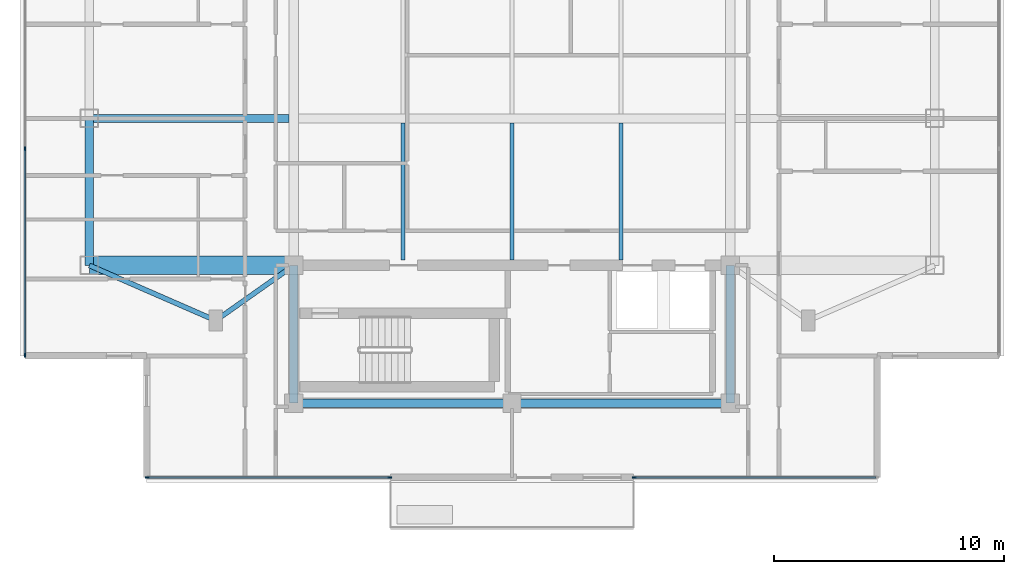
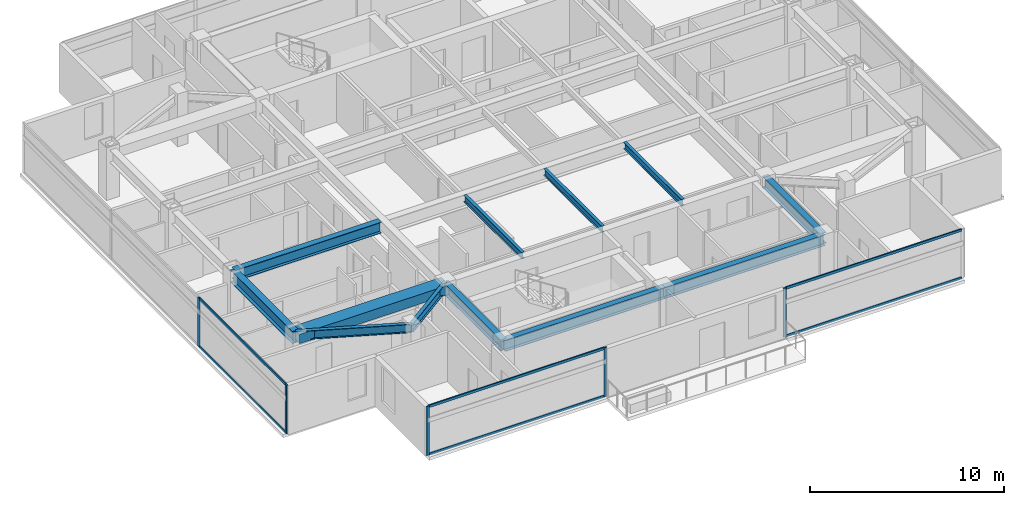
# One storey, part 2 of 14: 12 beams, 11 members, 3 elements without a shape of their own.
"""IFC4 building model written with IfcOpenShell, lengths in metres."""

from ifc_helpers import new_model, si_unit, direction, frame, origin, origin_2d, place, context, subcontext, project, spatial, rectangle, i_section, extrude, material, material_profile, profile_set, type_object, element, aggregate, save


model = new_model("IFC4")

# Units and contexts
model_context = context("Model", 3, precision=1e-05, world=origin(), true_north=direction((0.0, 1.0)))
body_context = subcontext(model_context, "Body", "Model", "MODEL_VIEW")
ifc_project = project(units=[si_unit("LENGTHUNIT", "METRE"), si_unit("AREAUNIT", "SQUARE_METRE"), si_unit("VOLUMEUNIT", "CUBIC_METRE"), si_unit("PLANEANGLEUNIT", "RADIAN"), si_unit("MASSUNIT", "GRAM", prefix="KILO")], contexts=[model_context])

# Site, building, storey
site_placement = place(None, origin())
site = spatial("IfcSite", under=ifc_project, at=site_placement, CompositionType="ELEMENT")
building_placement = place(site_placement, origin())
building = spatial("IfcBuilding", under=site, at=building_placement, Name="Mirazonda Arch Towers", CompositionType="ELEMENT")
storey_placement = place(building_placement, frame((0.0, 0.0, 232.60009765625)))
storey = spatial("IfcBuildingStorey", under=building, at=storey_placement, Name="L66", CompositionType="ELEMENT", Elevation=232.60009765625)

# Beams
ifc_material_1 = material(Name="Steel ASTM A992 Grade 50", Category="steel")
ifc_material_profile_1 = material_profile(ifc_material_1, i_section(OverallWidth=0.381103515625, OverallDepth=0.77294921875, WebThickness=0.0166015625, FlangeThickness=0.027099609375, at=origin_2d()), Name="W30X173")
ifc_profile_set_1 = profile_set([ifc_material_profile_1], Name="Steel ASTM A992 Grade 50")
beam_type_1 = type_object("IfcBeamType", Name="BM-EXT-W30X173", PredefinedType="USERDEFINED", material=ifc_profile_set_1)
beam_1_placement = place(storey_placement, frame((2.10009765625, 18.39990234375, 2.71337890625), z_axis=(0.0, 1.0, 0.0), x_axis=(-1.0, 0.0, 0.0)))
element("IfcBeam", 1, at=beam_1_placement, inside=storey, type_object=beam_type_1, Name="L66 Floor Beam BM-T1-L66-NS-W-18", ObjectType="GIRDER", PredefinedType="USERDEFINED", context=body_context, shape_type="SweptSolid", body=[
    extrude(i_section(OverallWidth=0.381103515625, OverallDepth=0.77294921875, WebThickness=0.0166015625, FlangeThickness=0.027099609375, at=origin_2d()), origin(), (0.0, 0.0, 1.0), 6.400146484375),
])
ifc_material_profile_2 = material_profile(ifc_material_1, i_section(OverallWidth=0.180908203125, OverallDepth=0.4169921875, WebThickness=0.010986328125, FlangeThickness=0.018310546875, at=origin_2d()), Name="W16X57")
ifc_profile_set_2 = profile_set([ifc_material_profile_2], Name="Steel ASTM A992 Grade 50")
beam_type_2 = type_object("IfcBeamType", Name="BM-INT-W16X57", PredefinedType="JOIST", material=ifc_profile_set_2)
for number, where, z_axis, x_axis, name in (
    (2, (15.75, 18.639892578125, 2.891357421875), (0.0, 1.0, 0.0), (-1.0, 0.0, 0.0), "L66 Floor Beam BM-T1-L66-J-157-18"),
    (3, (20.5, 18.639892578125, 2.891357421875), (0.0, 1.0, 0.0), (-1.0, 0.0, 0.0), "L66 Floor Beam BM-T1-L66-J-205-18"),
    (4, (25.25, 18.639892578125, 2.891357421875), (0.0, 1.0, 0.0), (-1.0, 0.0, 0.0), "L66 Floor Beam BM-T1-L66-J-252-18"),
):
    element("IfcBeam", number, at=place(storey_placement, frame(where, z_axis=z_axis, x_axis=x_axis)), inside=storey, type_object=beam_type_2, Name=name, PredefinedType="JOIST", context=body_context, shape_type="SweptSolid", body=[
        extrude(i_section(OverallWidth=0.180908203125, OverallDepth=0.4169921875, WebThickness=0.010986328125, FlangeThickness=0.018310546875, at=origin_2d()), origin(), (0.0, 0.0, 1.0), 5.964111328125),
    ])
ifc_material_profile_3 = material_profile(ifc_material_1, i_section(OverallWidth=0.214111328125, OverallDepth=0.549072265625, WebThickness=0.0146484375, FlangeThickness=0.023681640625, at=origin_2d()), Name="W21X93")
ifc_profile_set_3 = profile_set([ifc_material_profile_3], Name="Steel ASTM A992 Grade 50")
beam_type_3 = type_object("IfcBeamType", Name="BM-INT-W21X93", PredefinedType="BEAM", material=ifc_profile_set_3)
beam_2_placement = place(storey_placement, frame((7.60009765625, 16.0, 2.825439453125), z_axis=(0.816971114901, 0.576678591087, 0.0), x_axis=(-0.576678591087, 0.816971114901, 0.0)))
element("IfcBeam", 5, at=beam_2_placement, inside=storey, type_object=beam_type_3, Name="L66 Floor Beam BM-T1-L66-PL-SW1", PredefinedType="BEAM", context=body_context, shape_type="SweptSolid", body=[
    extrude(i_section(OverallWidth=0.214111328125, OverallDepth=0.549072265625, WebThickness=0.0146484375, FlangeThickness=0.023681640625, at=origin_2d()), origin(), (0.0, 0.0, 1.0), 4.16162109375),
])
beam_3_placement = place(storey_placement, frame((7.60009765625, 16.0, 2.825439453125), z_axis=(-0.916545343703, 0.399930785183, 0.0), x_axis=(-0.399930785183, -0.916545343703, 0.0)))
element("IfcBeam", 6, at=beam_3_placement, inside=storey, type_object=beam_type_3, Name="L66 Floor Beam BM-T1-L66-PL-SW2", PredefinedType="BEAM", context=body_context, shape_type="SweptSolid", body=[
    extrude(i_section(OverallWidth=0.214111328125, OverallDepth=0.549072265625, WebThickness=0.0146484375, FlangeThickness=0.023681640625, at=origin_2d()), origin(), (0.0, 0.0, 1.0), 6.000732421875),
])
ifc_material_profile_4 = material_profile(ifc_material_1, i_section(OverallWidth=0.35498046875, OverallDepth=0.696044921875, WebThickness=0.015380859375, FlangeThickness=0.02490234375, at=origin_2d()), Name="W27X146")
ifc_profile_set_4 = profile_set([ifc_material_profile_4], Name="Steel ASTM A992 Grade 50")
beam_type_4 = type_object("IfcBeamType", Name="BM-INT-W27X146", PredefinedType="BEAM", material=ifc_profile_set_4)
beam_4_placement = place(storey_placement, frame((2.10009765625, 24.800048828125, 2.751953125), z_axis=(1.0, 0.0, 0.0), x_axis=(0.0, 1.0, 0.0)))
element("IfcBeam", 7, at=beam_4_placement, inside=storey, type_object=beam_type_4, Name="L66 Floor Beam BM-T1-L66-GW2", PredefinedType="BEAM", context=body_context, shape_type="SweptSolid", body=[
    extrude(i_section(OverallWidth=0.35498046875, OverallDepth=0.696044921875, WebThickness=0.015380859375, FlangeThickness=0.02490234375, at=origin_2d()), origin(), (0.0, 0.0, 1.0), 8.699951171875),
])
for number, where, z_axis, x_axis, name in (
    (8, (11.0, 12.39990234375, 2.751953125), (1.0, 0.0, 0.0), (0.0, 1.0, 0.0), "L66 Floor Beam BM-T1-L66-CS1"),
    (9, (20.5, 12.39990234375, 2.751953125), (1.0, 0.0, 0.0), (0.0, 1.0, 0.0), "L66 Floor Beam BM-T1-L66-CS2"),
):
    element("IfcBeam", number, at=place(storey_placement, frame(where, z_axis=z_axis, x_axis=x_axis)), inside=storey, type_object=beam_type_4, Name=name, PredefinedType="BEAM", context=body_context, shape_type="SweptSolid", body=[
        extrude(i_section(OverallWidth=0.35498046875, OverallDepth=0.696044921875, WebThickness=0.015380859375, FlangeThickness=0.02490234375, at=origin_2d()), origin(), (0.0, 0.0, 1.0), 9.5),
    ])
for number, where, z_axis, x_axis, name in (
    (10, (11.0, 12.39990234375, 2.751953125), (0.0, 1.0, 0.0), (-1.0, 0.0, 0.0), "L66 Floor Beam BM-T1-L66-CSW"),
    (11, (30.0, 12.39990234375, 2.751953125), (0.0, 1.0, 0.0), (-1.0, 0.0, 0.0), "L66 Floor Beam BM-T1-L66-CSE"),
):
    element("IfcBeam", number, at=place(storey_placement, frame(where, z_axis=z_axis, x_axis=x_axis)), inside=storey, type_object=beam_type_4, Name=name, PredefinedType="BEAM", context=body_context, shape_type="SweptSolid", body=[
        extrude(i_section(OverallWidth=0.35498046875, OverallDepth=0.696044921875, WebThickness=0.015380859375, FlangeThickness=0.02490234375, at=origin_2d()), origin(), (0.0, 0.0, 1.0), 6.0),
    ])
ifc_material_2 = material(Name="Concrete C60/75", Category="concrete")
ifc_material_profile_5 = material_profile(ifc_material_2, rectangle(XDim=0.800048828125, YDim=0.60009765625, at=origin_2d()), Name="RCCB800x600")
ifc_profile_set_5 = profile_set([ifc_material_profile_5], Name="Concrete C60/75")
beam_type_5 = type_object("IfcBeamType", Name="CB-INT-RCCB800x600", PredefinedType="SPANDREL", material=ifc_profile_set_5)
beam_5_placement = place(storey_placement, frame((2.10009765625, 18.39990234375, 2.7998046875), z_axis=(1.0, 0.0, 0.0), x_axis=(0.0, 1.0, 0.0)))
element("IfcBeam", 12, at=beam_5_placement, inside=storey, type_object=beam_type_5, Name="L66 Floor Beam CBC-T1-L66-SW", PredefinedType="SPANDREL", context=body_context, shape_type="SweptSolid", body=[
    extrude(rectangle(XDim=0.800048828125, YDim=0.60009765625, at=origin_2d()), origin(), (0.0, 0.0, 1.0), 8.89990234375),
])

# Curtain wall, member
ifc_material_3 = material(Name="Anodised Aluminium and Low-E Glass", Category="aluminium")
curtain_wall_type = type_object("IfcCurtainWallType", Name="CW-RES-UNIT", PredefinedType="NOTDEFINED", material=ifc_material_3)
curtain_wall_1_placement = place(storey_placement, origin())
curtain_wall_1 = element("IfcCurtainWall", 13, at=curtain_wall_1_placement, inside=storey, type_object=curtain_wall_type, Name="L66 Curtain Wall CW-L66-T1-SA", PredefinedType="NOTDEFINED")
ifc_material_4 = material(Name="Anodised Aluminium Alloy", Category="aluminium")
ifc_material_profile_6 = material_profile(ifc_material_4, rectangle(XDim=0.074951171875, YDim=0.175048828125, at=origin_2d()), Name="ALU-MULL-75x175")
ifc_profile_set_6 = profile_set([ifc_material_profile_6], Name="Anodised Aluminium Alloy")
member_type_1 = type_object("IfcMemberType", Name="MULL-CW-RES-UNIT", PredefinedType="MULLION", material=ifc_profile_set_6)
member_1_placement = place(storey_placement, frame((25.827392578125, 9.16796875, 0.0), z_axis=(0.0, 0.0, 1.0), x_axis=(0.0, -1.0, 0.0)))
member_1 = element("IfcMember", 14, at=member_1_placement, type_object=member_type_1, Name="CW-104 mullion 2", PredefinedType="MULLION", context=body_context, shape_type="SweptSolid", body=[
    extrude(rectangle(XDim=0.074951171875, YDim=0.175048828125, at=origin_2d()), origin(), (0.0, 0.0, 1.0), 3.079833984375),
])

# Curtain wall, members
curtain_wall_2_placement = place(storey_placement, origin())
curtain_wall_2 = element("IfcCurtainWall", 15, at=curtain_wall_2_placement, inside=storey, type_object=curtain_wall_type, Name="L66 Curtain Wall CW-L66-T1-SB", PredefinedType="NOTDEFINED")
member_2_placement = place(storey_placement, frame((15.172607421875, 9.16796875, 0.0), z_axis=(0.0, 0.0, 1.0), x_axis=(0.0, -1.0, 0.0)))
member_2 = element("IfcMember", 16, at=member_2_placement, type_object=member_type_1, Name="CW-104 mullion 1", PredefinedType="MULLION", context=body_context, shape_type="SweptSolid", body=[
    extrude(rectangle(XDim=0.074951171875, YDim=0.175048828125, at=origin_2d()), origin(), (0.0, 0.0, 1.0), 3.079833984375),
])
member_3_placement = place(storey_placement, frame((4.62744140625, 9.16796875, 0.0), z_axis=(0.0, 0.0, 1.0), x_axis=(0.0, -1.0, 0.0)))
member_3 = element("IfcMember", 17, at=member_3_placement, type_object=member_type_1, Name="CW-104 mullion 2", PredefinedType="MULLION", context=body_context, shape_type="SweptSolid", body=[
    extrude(rectangle(XDim=0.074951171875, YDim=0.175048828125, at=origin_2d()), origin(), (0.0, 0.0, 1.0), 3.079833984375),
])

curtain_wall_3_placement = place(storey_placement, origin())
curtain_wall_3 = element("IfcCurtainWall", 18, at=curtain_wall_3_placement, inside=storey, type_object=curtain_wall_type, Name="L66 T1 W Facade CW-L66-T1-W", PredefinedType="NOTDEFINED")
member_4_placement = place(storey_placement, frame((-0.699951171875, 23.486083984375, 0.0), z_axis=(0.0, 0.0, 1.0), x_axis=(1.0, 0.0, 0.0)))
member_4 = element("IfcMember", 19, at=member_4_placement, type_object=member_type_1, Name="CW-104 mullion 3", PredefinedType="MULLION", context=body_context, shape_type="SweptSolid", body=[
    extrude(rectangle(XDim=0.074951171875, YDim=0.175048828125, at=origin_2d()), origin(), (0.0, 0.0, 1.0), 3.079833984375),
])
member_5_placement = place(storey_placement, frame((-0.699951171875, 14.49560546875, 0.0), z_axis=(0.0, 0.0, 1.0), x_axis=(1.0, 0.0, 0.0)))
member_5 = element("IfcMember", 20, at=member_5_placement, type_object=member_type_1, Name="CW-104 mullion 4", PredefinedType="MULLION", context=body_context, shape_type="SweptSolid", body=[
    extrude(rectangle(XDim=0.074951171875, YDim=0.175048828125, at=origin_2d()), origin(), (0.0, 0.0, 1.0), 3.079833984375),
])

# Member
ifc_material_profile_7 = material_profile(ifc_material_4, rectangle(XDim=0.074951171875, YDim=0.155029296875, at=origin_2d()), Name="ALU-TRAN-75x155")
ifc_profile_set_7 = profile_set([ifc_material_profile_7], Name="Anodised Aluminium Alloy")
member_type_2 = type_object("IfcMemberType", Name="TRAN-CW-RES-UNIT", PredefinedType="USERDEFINED", material=ifc_profile_set_7)
member_6_placement = place(storey_placement, frame((36.3349609375, 9.16796875, 0.037353515625), z_axis=(-1.0, 0.0, 0.0), x_axis=(0.0, -1.0, 0.0)))
member_6 = element("IfcMember", 21, at=member_6_placement, type_object=member_type_2, Name="CW-104 transom 1.1", ObjectType="TRANSOM", PredefinedType="USERDEFINED", context=body_context, shape_type="SweptSolid", body=[
    extrude(rectangle(XDim=0.074951171875, YDim=0.155029296875, at=origin_2d()), origin(), (0.0, 0.0, 1.0), 10.469970703125),
])

member_7_placement = place(storey_placement, frame((36.3349609375, 9.16796875, 3.04248046875), z_axis=(-1.0, 0.0, 0.0), x_axis=(0.0, -1.0, 0.0)))
member_7 = element("IfcMember", 22, at=member_7_placement, type_object=member_type_2, Name="CW-104 transom 1.2", ObjectType="TRANSOM", PredefinedType="USERDEFINED", context=body_context, shape_type="SweptSolid", body=[
    extrude(rectangle(XDim=0.074951171875, YDim=0.155029296875, at=origin_2d()), origin(), (0.0, 0.0, 1.0), 10.469970703125),
])

aggregate(curtain_wall_1, [member_1, member_6, member_7])

member_8_placement = place(storey_placement, frame((15.135009765625, 9.16796875, 0.037353515625), z_axis=(-1.0, 0.0, 0.0), x_axis=(0.0, -1.0, 0.0)))
member_8 = element("IfcMember", 23, at=member_8_placement, type_object=member_type_2, Name="CW-104 transom 1.1", ObjectType="TRANSOM", PredefinedType="USERDEFINED", context=body_context, shape_type="SweptSolid", body=[
    extrude(rectangle(XDim=0.074951171875, YDim=0.155029296875, at=origin_2d()), origin(), (0.0, 0.0, 1.0), 10.469970703125),
])

member_9_placement = place(storey_placement, frame((15.135009765625, 9.16796875, 3.04248046875), z_axis=(-1.0, 0.0, 0.0), x_axis=(0.0, -1.0, 0.0)))
member_9 = element("IfcMember", 24, at=member_9_placement, type_object=member_type_2, Name="CW-104 transom 1.2", ObjectType="TRANSOM", PredefinedType="USERDEFINED", context=body_context, shape_type="SweptSolid", body=[
    extrude(rectangle(XDim=0.074951171875, YDim=0.155029296875, at=origin_2d()), origin(), (0.0, 0.0, 1.0), 10.469970703125),
])

aggregate(curtain_wall_2, [member_2, member_3, member_8, member_9])

member_10_placement = place(storey_placement, frame((-0.699951171875, 23.448486328125, 0.037353515625), z_axis=(0.0, -1.0, 0.0), x_axis=(1.0, 0.0, 0.0)))
member_10 = element("IfcMember", 25, at=member_10_placement, type_object=member_type_2, Name="CW-104 transom 3.1", ObjectType="TRANSOM", PredefinedType="USERDEFINED", context=body_context, shape_type="SweptSolid", body=[
    extrude(rectangle(XDim=0.074951171875, YDim=0.155029296875, at=origin_2d()), origin(), (0.0, 0.0, 1.0), 8.91552734375),
])

member_11_placement = place(storey_placement, frame((-0.699951171875, 23.448486328125, 3.04248046875), z_axis=(0.0, -1.0, 0.0), x_axis=(1.0, 0.0, 0.0)))
member_11 = element("IfcMember", 26, at=member_11_placement, type_object=member_type_2, Name="CW-104 transom 3.2", ObjectType="TRANSOM", PredefinedType="USERDEFINED", context=body_context, shape_type="SweptSolid", body=[
    extrude(rectangle(XDim=0.074951171875, YDim=0.155029296875, at=origin_2d()), origin(), (0.0, 0.0, 1.0), 8.91552734375),
])

aggregate(curtain_wall_3, [member_4, member_5, member_10, member_11])

save(model, "model.ifc")
